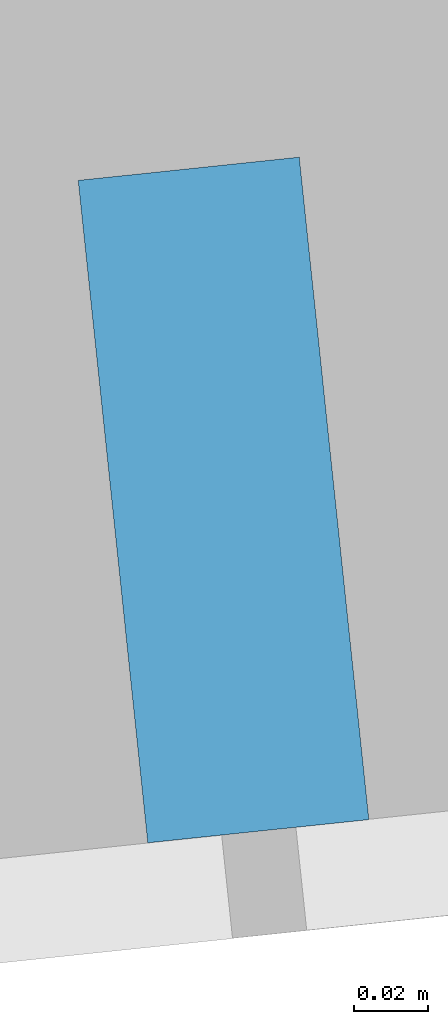
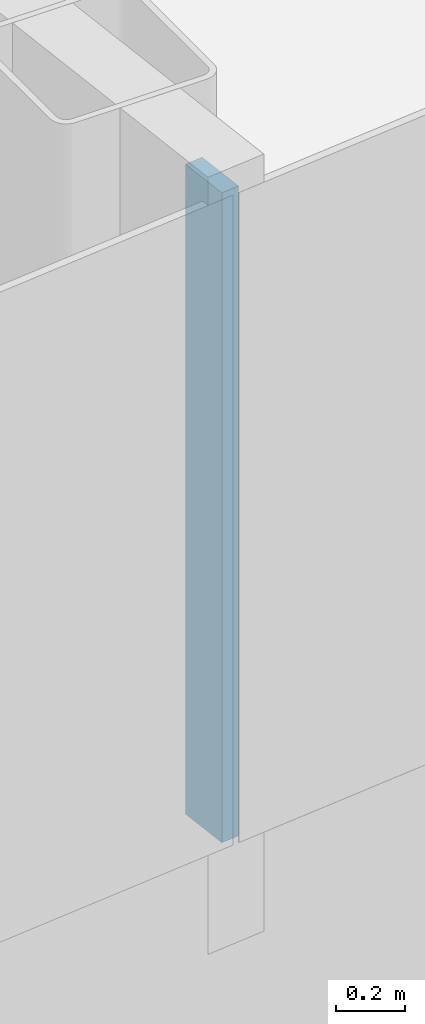
# One storey, part 5 of 27: 1 member, 1 element without a shape of its own.
"""IFC4 building model written with IfcOpenShell, lengths in metres."""

from ifc_helpers import new_model, si_unit, direction, frame, origin, origin_2d, place, context, subcontext, project, spatial, rectangle, extrude, material, layer, layer_set, material_profile, profile_set, type_object, element, aggregate, save


model = new_model("IFC4")

# Units and contexts
model_context = context("Model", 3, precision=1e-05, world=origin(), true_north=direction((0.0, 1.0)))
body_context = subcontext(model_context, "Body", "Model", "MODEL_VIEW")
ifc_project = project(units=[si_unit("LENGTHUNIT", "METRE"), si_unit("AREAUNIT", "SQUARE_METRE"), si_unit("VOLUMEUNIT", "CUBIC_METRE"), si_unit("PLANEANGLEUNIT", "RADIAN"), si_unit("MASSUNIT", "GRAM", prefix="KILO")], contexts=[model_context])

# Site, building, storey
site_placement = place(None, origin())
site = spatial("IfcSite", under=ifc_project, at=site_placement, CompositionType="ELEMENT")
building_placement = place(site_placement, origin())
building = spatial("IfcBuilding", under=site, at=building_placement, Name="Hakoniwa Tower and Hamabe Station Hall", CompositionType="ELEMENT")
storey_placement = place(building_placement, frame((0.0, 0.0, 261.39990234375)))
storey = spatial("IfcBuildingStorey", under=building, at=storey_placement, Name="L74", CompositionType="ELEMENT", Elevation=261.39990234375)

# Curtain wall, member
ifc_material_1 = material(Name="Dark low-e laminated glass", Category="glass")
ifc_layer = layer(ifc_material_1, 0.199951171875)
ifc_layer_set = layer_set([ifc_layer], Name="CW-1 UNITISED GUEST")
curtain_wall_type = type_object("IfcCurtainWallType", Name="CW-1 UNITISED GUEST", PredefinedType="NOTDEFINED", material=ifc_layer_set)
curtain_wall_placement = place(storey_placement, origin())
curtain_wall = element("IfcCurtainWall", 1, at=curtain_wall_placement, inside=storey, type_object=curtain_wall_type, Name="CW-1 curtain wall", PredefinedType="NOTDEFINED")
ifc_material_2 = material(Name="Aluminium 6063-T5 black anodised", Category="aluminium")
ifc_material_profile = material_profile(ifc_material_2, rectangle(XDim=0.06005859375, YDim=0.179931640625, at=origin_2d()), Name="CW-1 MULLION 60X180")
ifc_profile_set = profile_set([ifc_material_profile], Name="Aluminium 6063-T5 black anodised")
member_type = type_object("IfcMemberType", Name="CW-1 MULLION 60X180", PredefinedType="MULLION", material=ifc_profile_set)
member_placement = place(storey_placement, frame((1.7958984375, -14.587890625, 0.35009765625), z_axis=(0.0, 0.0, 1.0), x_axis=(0.994521895272, 0.104528464188, 0.0)))
member = element("IfcMember", 2, at=member_placement, type_object=member_type, Name="CW-1 mullion", PredefinedType="MULLION", context=body_context, shape_type="SweptSolid", body=[
    extrude(rectangle(XDim=0.06005859375, YDim=0.179931640625, at=origin_2d()), origin(), (0.0, 0.0, 1.0), 2.300048828125),
])
aggregate(curtain_wall, [member])

save(model, "model.ifc")
